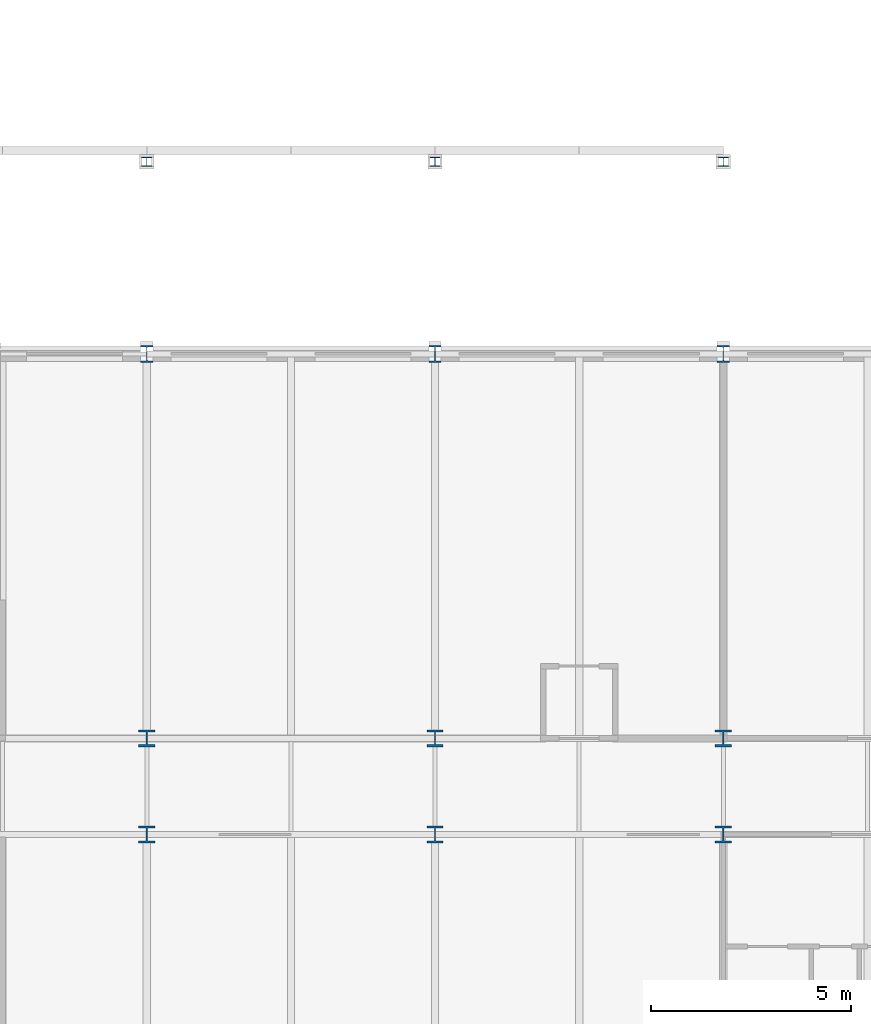
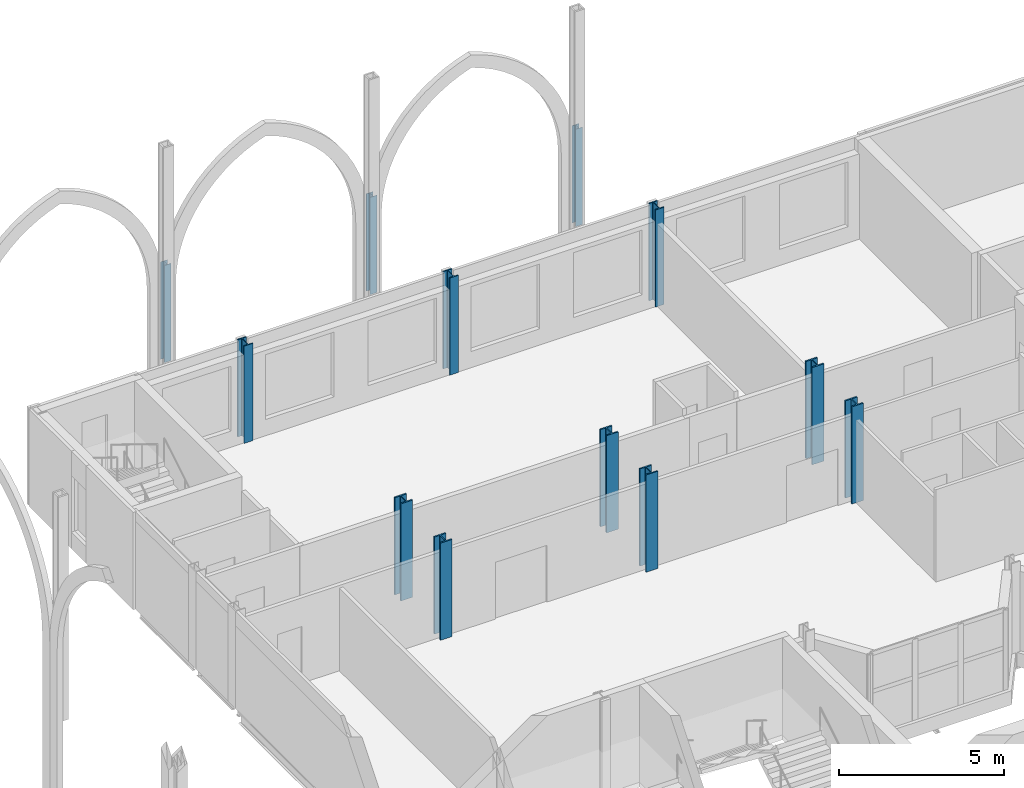
# One storey, part 13 of 124: 12 columns.
"""IFC4 building model written with IfcOpenShell, lengths in metres."""

from ifc_helpers import new_model, si_unit, direction, frame, origin, origin_2d, place, context, subcontext, project, spatial, i_section, extrude, material, material_profile, profile_set, type_object, element, save


model = new_model("IFC4")

# Units and contexts
model_context = context("Model", 3, precision=1e-05, world=origin(), true_north=direction((0.0, 1.0)))
body_context = subcontext(model_context, "Body", "Model", "MODEL_VIEW")
ifc_project = project(units=[si_unit("LENGTHUNIT", "METRE"), si_unit("AREAUNIT", "SQUARE_METRE"), si_unit("VOLUMEUNIT", "CUBIC_METRE"), si_unit("PLANEANGLEUNIT", "RADIAN"), si_unit("MASSUNIT", "GRAM", prefix="KILO")], contexts=[model_context])

# Site, building, storey
site_placement = place(None, origin())
site = spatial("IfcSite", under=ifc_project, at=site_placement, CompositionType="ELEMENT")
building_placement = place(site_placement, origin())
building = spatial("IfcBuilding", under=site, at=building_placement, Name="Kupolbacken Congress Centre", CompositionType="ELEMENT")
storey_placement = place(building_placement, frame((0.0, 0.0, 10.800048828125)))
storey = spatial("IfcBuildingStorey", under=building, at=storey_placement, Name="L03", CompositionType="ELEMENT", Elevation=10.800048828125)

# Columns
ifc_material_1 = material(Name="Steel S355", Category="steel")
ifc_material_profile_1 = material_profile(ifc_material_1, i_section(OverallWidth=0.408935546875, OverallDepth=0.425048828125, WebThickness=0.03271484375, FlangeThickness=0.052490234375, FilletRadius=0.014892578125, at=origin_2d()), Name="HD 400 x 421")
ifc_profile_set_1 = profile_set([ifc_material_profile_1], Name="Steel S355")
column_type_1 = type_object("IfcColumnType", Name="C01 column HD 400 x 421", PredefinedType="COLUMN", material=ifc_profile_set_1)
for number, where, z_axis, x_axis, name in (
    (1, (72.0, 132.0, 0.0), (0.0, 0.0, 1.0), (1.0, 0.0, 0.0), "S/col/C-T-11U+2400/L03"),
    (2, (72.0, 134.39990234375, 0.0), (0.0, 0.0, 1.0), (1.0, 0.0, 0.0), "S/col/C-T-11U+4800/L03"),
    (3, (79.199951171875, 132.0, 0.0), (0.0, 0.0, 1.0), (1.0, 0.0, 0.0), "S/col/C-T-12U+2400/L03"),
    (4, (79.199951171875, 134.39990234375, 0.0), (0.0, 0.0, 1.0), (1.0, 0.0, 0.0), "S/col/C-T-12U+4800/L03"),
    (5, (86.39990234375, 132.0, 0.0), (0.0, 0.0, 1.0), (1.0, 0.0, 0.0), "S/col/C-T-13U+2400/L03"),
    (6, (86.39990234375, 134.39990234375, 0.0), (0.0, 0.0, 1.0), (1.0, 0.0, 0.0), "S/col/C-T-13U+4800/L03"),
):
    element("IfcColumn", number, at=place(storey_placement, frame(where, z_axis=z_axis, x_axis=x_axis)), inside=storey, type_object=column_type_1, Name=name, PredefinedType="COLUMN", context=body_context, shape_type="SweptSolid", body=[
        extrude(i_section(OverallWidth=0.408935546875, OverallDepth=0.425048828125, WebThickness=0.03271484375, FlangeThickness=0.052490234375, FilletRadius=0.014892578125, at=origin_2d()), origin(), (0.0, 0.0, 1.0), 3.599853515625),
    ])
ifc_material_2 = material(Name="Steel S355", Category="steel")
ifc_material_profile_2 = material_profile(ifc_material_2, i_section(OverallWidth=0.306884765625, OverallDepth=0.431884765625, WebThickness=0.02099609375, FlangeThickness=0.0400390625, FilletRadius=0.027099609375, at=origin_2d()), Name="HEM 400")
ifc_profile_set_2 = profile_set([ifc_material_profile_2], Name="Steel S355")
column_type_2 = type_object("IfcColumnType", Name="C02 column HEM 400", PredefinedType="COLUMN", material=ifc_profile_set_2)
for number, where, z_axis, x_axis, name in (
    (7, (72.0, 144.0, 0.0), (0.0, 0.0, 1.0), (1.0, 0.0, 0.0), "S/col/C-T-11W/L03"),
    (8, (79.199951171875, 144.0, 0.0), (0.0, 0.0, 1.0), (1.0, 0.0, 0.0), "S/col/C-T-12W/L03"),
    (9, (86.39990234375, 144.0, 0.0), (0.0, 0.0, 1.0), (1.0, 0.0, 0.0), "S/col/C-T-13W/L03"),
):
    element("IfcColumn", number, at=place(storey_placement, frame(where, z_axis=z_axis, x_axis=x_axis)), inside=storey, type_object=column_type_2, Name=name, PredefinedType="COLUMN", context=body_context, shape_type="SweptSolid", body=[
        extrude(i_section(OverallWidth=0.306884765625, OverallDepth=0.431884765625, WebThickness=0.02099609375, FlangeThickness=0.0400390625, FilletRadius=0.027099609375, at=origin_2d()), origin(), (0.0, 0.0, 1.0), 3.599853515625),
    ])
ifc_material_3 = material(Name="Steel S355", Category="steel")
ifc_material_profile_3 = material_profile(ifc_material_3, i_section(OverallWidth=0.239990234375, OverallDepth=0.22998046875, WebThickness=0.007568359375, FlangeThickness=0.011962890625, FilletRadius=0.02099609375, at=origin_2d()), Name="HEA 240")
ifc_profile_set_3 = profile_set([ifc_material_profile_3], Name="Steel S355")
column_type_3 = type_object("IfcColumnType", Name="C10 column HEA 240", PredefinedType="COLUMN", material=ifc_profile_set_3)
for number, where, z_axis, x_axis, name in (
    (10, (72.0, 148.800048828125, 0.0), (0.0, 0.0, 1.0), (1.0, 0.0, 0.0), "E/T/portico/N/col72/L03"),
    (11, (79.199951171875, 148.800048828125, 0.0), (0.0, 0.0, 1.0), (1.0, 0.0, 0.0), "E/T/portico/N/col79.2/L03"),
    (12, (86.39990234375, 148.800048828125, 0.0), (0.0, 0.0, 1.0), (1.0, 0.0, 0.0), "E/T/portico/N/col86.4/L03"),
):
    element("IfcColumn", number, at=place(storey_placement, frame(where, z_axis=z_axis, x_axis=x_axis)), inside=storey, type_object=column_type_3, Name=name, PredefinedType="COLUMN", context=body_context, shape_type="SweptSolid", body=[
        extrude(i_section(OverallWidth=0.239990234375, OverallDepth=0.22998046875, WebThickness=0.007568359375, FlangeThickness=0.011962890625, FilletRadius=0.02099609375, at=origin_2d()), origin(), (0.0, 0.0, 1.0), 3.599853515625),
    ])

save(model, "model.ifc")
